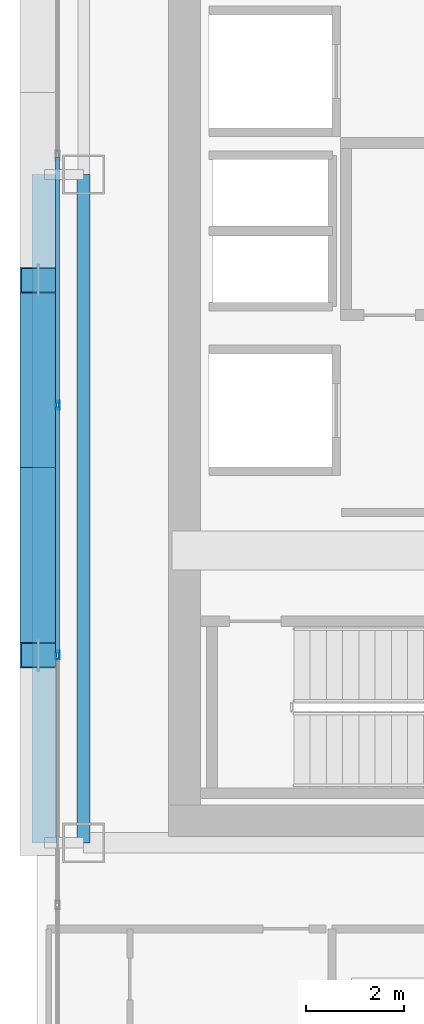
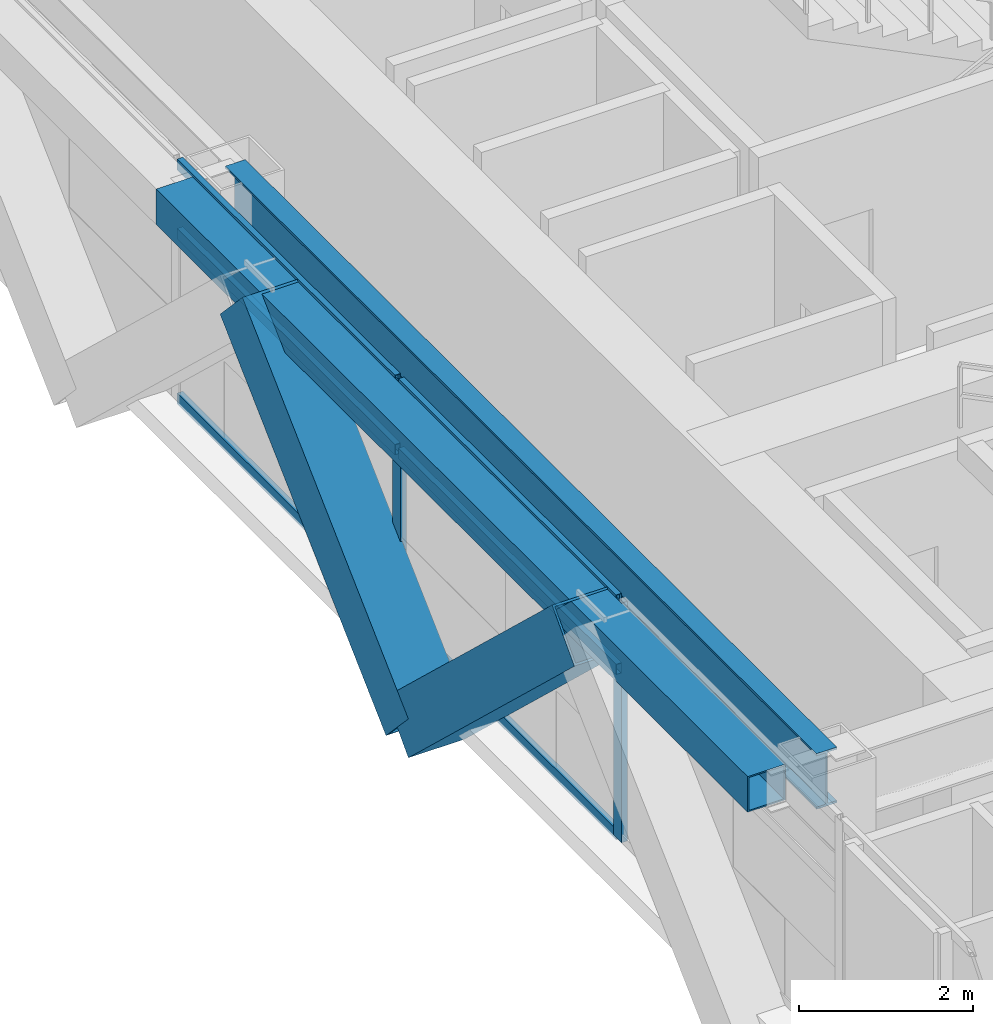
# One storey, part 6 of 35: 10 members, 2 beams, 1 element without a shape of its own.
"""IFC4 building model written with IfcOpenShell, lengths in metres."""

from ifc_helpers import new_model, si_unit, direction, frame, origin, origin_2d, place, context, subcontext, project, spatial, hollow_rectangle, i_section, extrude, source, transform, mapped, material, layer, layer_set, material_profile, profile_set, type_object, element, aggregate, save


model = new_model("IFC4")

# Units and contexts
model_context = context("Model", 3, precision=1e-05, world=origin(), true_north=direction((0.0, 1.0)))
body_context = subcontext(model_context, "Body", "Model", "MODEL_VIEW")
ifc_project = project(units=[si_unit("LENGTHUNIT", "METRE"), si_unit("AREAUNIT", "SQUARE_METRE"), si_unit("VOLUMEUNIT", "CUBIC_METRE"), si_unit("PLANEANGLEUNIT", "RADIAN"), si_unit("MASSUNIT", "GRAM", prefix="KILO")], contexts=[model_context])

# Site, building, storey
site_placement = place(None, origin())
site = spatial("IfcSite", under=ifc_project, at=site_placement, CompositionType="ELEMENT")
building_placement = place(site_placement, origin())
building = spatial("IfcBuilding", under=site, at=building_placement, Name="Ocotamira Hotel", CompositionType="ELEMENT")
storey_placement = place(building_placement, frame((0.0, 0.0, 140.39990234375)))
storey = spatial("IfcBuildingStorey", under=building, at=storey_placement, Name="L35", CompositionType="ELEMENT", Elevation=140.39990234375)

# Beams
ifc_material_1 = material(Name="Steel ASTM A992 Grade 50", Category="steel")
ifc_material_profile_1 = material_profile(ifc_material_1, i_section(OverallWidth=0.26611328125, OverallDepth=0.779052734375, WebThickness=0.0166015625, FlangeThickness=0.030029296875, FilletRadius=0.01806640625, at=origin_2d()), Name="W30X148")
ifc_profile_set_1 = profile_set([ifc_material_profile_1], Name="Steel ASTM A992 Grade 50")
beam_type_1 = type_object("IfcBeamType", Name="BM-GIRD-W30X148", PredefinedType="BEAM", material=ifc_profile_set_1)
shared_shape_1 = source(origin(), body_context, "Body", "SweptSolid", [
    extrude(i_section(OverallWidth=0.26611328125, OverallDepth=0.779052734375, WebThickness=0.0166015625, FlangeThickness=0.030029296875, FilletRadius=0.01806640625, at=origin_2d()), origin(), (0.0, 0.0, 1.0), 13.599853515625),
])
beam_1_placement = place(storey_placement, frame((8.949951171875, 14.550048828125, 2.970703125), z_axis=(0.0, 1.0, 0.0), x_axis=(-1.0, 0.0, 0.0)))
element("IfcBeam", 1, at=beam_1_placement, inside=storey, type_object=beam_type_1, Name="L35 Beam X8.95 Y14.55-28.15", PredefinedType="BEAM", context=body_context, shape_type="MappedRepresentation", body=[
    mapped(shared_shape_1, transform((0.0, 0.0, 0.0), scale=1.0)),
])
ifc_material_2 = material(Name="Steel ASTM A500 Grade C", Category="steel")
ifc_material_profile_2 = material_profile(ifc_material_2, hollow_rectangle(XDim=0.5, YDim=0.5, WallThickness=0.02001953125, at=origin_2d()), Name="HSS500X500X20")
ifc_profile_set_2 = profile_set([ifc_material_profile_2], Name="Steel ASTM A500 Grade C")
beam_type_2 = type_object("IfcBeamType", Name="BM-SPAN-HSS500", PredefinedType="USERDEFINED", material=ifc_profile_set_2)
shared_shape_2 = source(origin(), body_context, "Body", "SweptSolid", [
    extrude(hollow_rectangle(XDim=0.5, YDim=0.5, WallThickness=0.02001953125, at=origin_2d()), origin(), (0.0, 0.0, 1.0), 13.599853515625),
])
beam_2_placement = place(storey_placement, frame((8.14990234375, 14.550048828125, 3.110107421875), z_axis=(0.0, 1.0, 0.0), x_axis=(-1.0, 0.0, 0.0)))
element("IfcBeam", 2, at=beam_2_placement, inside=storey, type_object=beam_type_2, Name="L35 Edge Spandrel W Y14.55-28.15", ObjectType="SPANDREL", PredefinedType="USERDEFINED", context=body_context, shape_type="MappedRepresentation", body=[
    mapped(shared_shape_2, transform((0.0, 0.0, 0.0), scale=1.0)),
])

# Members
ifc_material_3 = material(Name="Pale-metal coated steel ASTM A913 Grade 65", Category="steel")
ifc_material_profile_3 = material_profile(ifc_material_3, hollow_rectangle(XDim=0.75, YDim=0.75, WallThickness=0.028076171875, at=origin_2d()), Name="BOX750X750X28")
ifc_profile_set_3 = profile_set([ifc_material_profile_3], Name="Pale-metal coated steel ASTM A913 Grade 65")
member_type_1 = type_object("IfcMemberType", Name="MEM-EXO-BOX750", PredefinedType="BRACE", material=ifc_profile_set_3)
shared_shape_3 = source(origin(), body_context, "Body", "SweptSolid", [
    extrude(hollow_rectangle(XDim=0.75, YDim=0.75, WallThickness=0.028076171875, at=origin_2d()), origin(), (0.0, 0.0, 1.0), 5.24658203125),
])
for number, where, z_axis, x_axis, name in (
    (3, (8.030029296875, 22.183349609375, -0.489990234375), (0.0, -0.727442733726, 0.686168397078), (1.0, 0.0, 0.0), "L35 Exoskeleton Diagrid W0.2"),
    (4, (8.030029296875, 22.183349609375, -0.489990234375), (0.0, 0.727442733726, 0.686168397078), (-1.0, 0.0, 0.0), "L35 Exoskeleton Diagrid W1.1"),
):
    element("IfcMember", number, at=place(storey_placement, frame(where, z_axis=z_axis, x_axis=x_axis)), inside=storey, type_object=member_type_1, Name=name, PredefinedType="BRACE", context=body_context, shape_type="MappedRepresentation", body=[
        mapped(shared_shape_3, transform((0.0, 0.0, 0.0), scale=1.0)),
    ])

# Curtain wall, members
ifc_material_4 = material(Name="Anodised pale-metal aluminium and solar glass", Category="aluminium")
ifc_layer = layer(ifc_material_4, 0.179931640625)
ifc_layer_set = layer_set([ifc_layer], Name="Anodised pale-metal aluminium and solar glass")
curtain_wall_type = type_object("IfcCurtainWallType", Name="CW-SYS3-Z2", PredefinedType="NOTDEFINED", material=ifc_layer_set)
curtain_wall_placement = place(storey_placement, origin())
curtain_wall = element("IfcCurtainWall", 5, at=curtain_wall_placement, inside=storey, type_object=curtain_wall_type, Name="L35 Curtain Wall CW-3 CW-L35-W", PredefinedType="NOTDEFINED")
ifc_material_5 = material(Name="Anodised pale-metal aluminium 6063-T6", Category="aluminium")
ifc_material_profile_4 = material_profile(ifc_material_5, hollow_rectangle(XDim=0.074951171875, YDim=0.14990234375, WallThickness=0.006103515625, at=origin_2d()), Name="HSS150X75X6")
ifc_profile_set_4 = profile_set([ifc_material_profile_4], Name="Anodised pale-metal aluminium 6063-T6")
member_type_2 = type_object("IfcMemberType", Name="CWT-150X75", PredefinedType="USERDEFINED", material=ifc_profile_set_4)
shared_shape_4 = source(origin(), body_context, "Body", "SweptSolid", [
    extrude(hollow_rectangle(XDim=0.074951171875, YDim=0.14990234375, WallThickness=0.006103515625, at=origin_2d()), origin(), (0.0, 0.0, 1.0), 5.005859375),
])
member_1_placement = place(storey_placement, frame((8.419921875, 18.411376953125, 0.03759765625), z_axis=(0.0, 1.0, 0.0), x_axis=(-1.0, 0.0, 0.0)))
member_1 = element("IfcMember", 6, at=member_1_placement, type_object=member_type_2, Name="CW-3 transom 3.1", ObjectType="TRANSOM", PredefinedType="USERDEFINED", context=body_context, shape_type="MappedRepresentation", body=[
    mapped(shared_shape_4, transform((0.0, 0.0, 0.0), scale=1.0)),
])
member_2_placement = place(storey_placement, frame((8.419921875, 18.411376953125, 2.35009765625), z_axis=(0.0, 1.0, 0.0), x_axis=(-1.0, 0.0, 0.0)))
member_2 = element("IfcMember", 7, at=member_2_placement, type_object=member_type_2, Name="CW-3 transom 3.2", ObjectType="TRANSOM", PredefinedType="USERDEFINED", context=body_context, shape_type="MappedRepresentation", body=[
    mapped(shared_shape_4, transform((0.0, 0.0, 0.0), scale=1.0)),
])
member_3_placement = place(storey_placement, frame((8.419921875, 18.411376953125, 3.322509765625), z_axis=(0.0, 1.0, 0.0), x_axis=(-1.0, 0.0, 0.0)))
member_3 = element("IfcMember", 8, at=member_3_placement, type_object=member_type_2, Name="CW-3 transom 3.3", ObjectType="TRANSOM", PredefinedType="USERDEFINED", context=body_context, shape_type="MappedRepresentation", body=[
    mapped(shared_shape_4, transform((0.0, 0.0, 0.0), scale=1.0)),
])
member_4_placement = place(storey_placement, frame((8.419921875, 23.4970703125, 0.03759765625), z_axis=(0.0, 1.0, 0.0), x_axis=(-1.0, 0.0, 0.0)))
member_4 = element("IfcMember", 9, at=member_4_placement, type_object=member_type_2, Name="CW-3 transom 4.1", ObjectType="TRANSOM", PredefinedType="USERDEFINED", context=body_context, shape_type="MappedRepresentation", body=[
    mapped(shared_shape_4, transform((0.0, 0.0, 0.0), scale=1.0)),
])
member_5_placement = place(storey_placement, frame((8.419921875, 23.4970703125, 2.35009765625), z_axis=(0.0, 1.0, 0.0), x_axis=(-1.0, 0.0, 0.0)))
member_5 = element("IfcMember", 10, at=member_5_placement, type_object=member_type_2, Name="CW-3 transom 4.2", ObjectType="TRANSOM", PredefinedType="USERDEFINED", context=body_context, shape_type="MappedRepresentation", body=[
    mapped(shared_shape_4, transform((0.0, 0.0, 0.0), scale=1.0)),
])
member_6_placement = place(storey_placement, frame((8.419921875, 23.4970703125, 3.322509765625), z_axis=(0.0, 1.0, 0.0), x_axis=(-1.0, 0.0, 0.0)))
member_6 = element("IfcMember", 11, at=member_6_placement, type_object=member_type_2, Name="CW-3 transom 4.3", ObjectType="TRANSOM", PredefinedType="USERDEFINED", context=body_context, shape_type="MappedRepresentation", body=[
    mapped(shared_shape_4, transform((0.0, 0.0, 0.0), scale=1.0)),
])
ifc_material_profile_5 = material_profile(ifc_material_5, hollow_rectangle(XDim=0.080078125, YDim=0.179931640625, WallThickness=0.006103515625, at=origin_2d()), Name="HSS180X80X6")
ifc_profile_set_5 = profile_set([ifc_material_profile_5], Name="Anodised pale-metal aluminium 6063-T6")
member_type_3 = type_object("IfcMemberType", Name="CWM-180X75", PredefinedType="MULLION", material=ifc_profile_set_5)
shared_shape_5 = source(origin(), body_context, "Body", "SweptSolid", [
    extrude(hollow_rectangle(XDim=0.080078125, YDim=0.179931640625, WallThickness=0.006103515625, at=origin_2d()), origin(), (0.0, 0.0, 1.0), 3.360107421875),
])
member_7_placement = place(storey_placement, frame((8.419921875, 18.371337890625, 0.0), z_axis=(0.0, 0.0, 1.0), x_axis=(-1.0, 0.0, 0.0)))
member_7 = element("IfcMember", 12, at=member_7_placement, type_object=member_type_3, Name="CW-3 mullion 3", PredefinedType="MULLION", context=body_context, shape_type="MappedRepresentation", body=[
    mapped(shared_shape_5, transform((0.0, 0.0, 0.0), scale=1.0)),
])
member_8_placement = place(storey_placement, frame((8.419921875, 23.45703125, 0.0), z_axis=(0.0, 0.0, 1.0), x_axis=(-1.0, 0.0, 0.0)))
member_8 = element("IfcMember", 13, at=member_8_placement, type_object=member_type_3, Name="CW-3 mullion 4", PredefinedType="MULLION", context=body_context, shape_type="MappedRepresentation", body=[
    mapped(shared_shape_5, transform((0.0, 0.0, 0.0), scale=1.0)),
])
aggregate(curtain_wall, [member_7, member_8, member_1, member_2, member_3, member_4, member_5, member_6])

save(model, "model.ifc")
